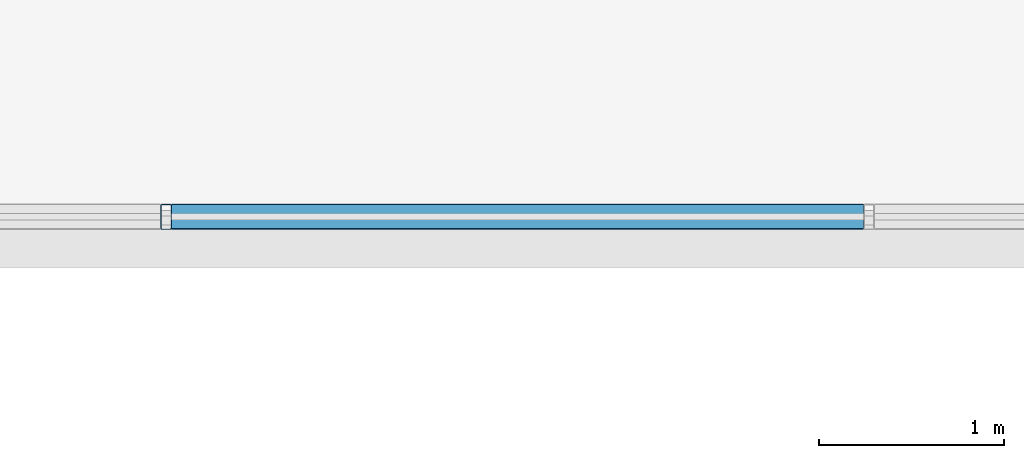
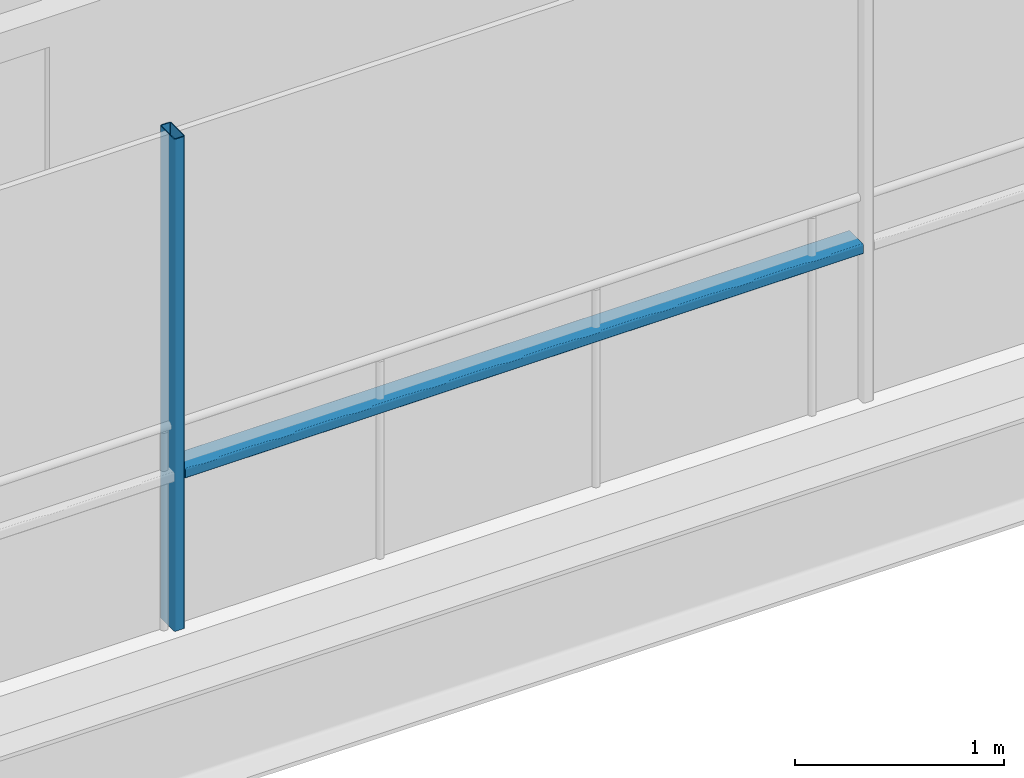
# One storey, part 11 of 40: 2 members, 1 element without a shape of its own.
"""IFC4 building model written with IfcOpenShell, lengths in metres."""

from ifc_helpers import new_model, si_unit, direction, frame, origin, origin_2d, place, context, subcontext, project, spatial, hollow_rectangle, extrude, material, layer, layer_set, material_profile, profile_set, type_object, element, aggregate, save


model = new_model("IFC4")

# Units and contexts
model_context = context("Model", 3, precision=1e-05, world=origin(), true_north=direction((0.0, 1.0)))
body_context = subcontext(model_context, "Body", "Model", "MODEL_VIEW")
ifc_project = project(units=[si_unit("LENGTHUNIT", "METRE"), si_unit("AREAUNIT", "SQUARE_METRE"), si_unit("VOLUMEUNIT", "CUBIC_METRE"), si_unit("PLANEANGLEUNIT", "RADIAN"), si_unit("MASSUNIT", "GRAM", prefix="KILO")], contexts=[model_context])

# Site, building, storey
site_placement = place(None, origin())
site = spatial("IfcSite", under=ifc_project, at=site_placement, CompositionType="ELEMENT")
building_placement = place(site_placement, origin())
building = spatial("IfcBuilding", under=site, at=building_placement, Name="Brevholm Reach", CompositionType="ELEMENT")
storey_placement = place(building_placement, frame((0.0, 0.0, 37.300048828125)))
storey = spatial("IfcBuildingStorey", under=building, at=storey_placement, Name="L09", CompositionType="ELEMENT", Elevation=37.300048828125)

# Curtain wall, members
ifc_material_1 = material(Name="Dark Anodised Aluminium 6063-T6 and Solar-Control Glass", Category="aluminium")
ifc_layer = layer(ifc_material_1, 0.139892578125)
ifc_layer_set = layer_set([ifc_layer], Name="Dark Anodised Aluminium 6063-T6 and Solar-Control Glass")
curtain_wall_type = type_object("IfcCurtainWallType", Name="CW-02", PredefinedType="NOTDEFINED", material=ifc_layer_set)
curtain_wall_placement = place(storey_placement, origin())
curtain_wall = element("IfcCurtainWall", 1, at=curtain_wall_placement, inside=storey, type_object=curtain_wall_type, Name="L09 Curtain Wall CW-02", PredefinedType="NOTDEFINED")
ifc_material_2 = material(Name="Dark Anodised Aluminium 6063-T6", Category="aluminium")
ifc_material_profile_1 = material_profile(ifc_material_2, hollow_rectangle(XDim=0.06005859375, YDim=0.139892578125, WallThickness=0.0048828125, InnerFilletRadius=0.0048828125, OuterFilletRadius=0.010009765625, at=origin_2d()), Name="RHS 140x60x5")
ifc_profile_set_1 = profile_set([ifc_material_profile_1], Name="Dark Anodised Aluminium 6063-T6")
member_type_1 = type_object("IfcMemberType", Name="CWM-140", PredefinedType="MULLION", material=ifc_profile_set_1)
member_1_placement = place(storey_placement, frame((30.050048828125, 26.6201171875, 0.0), z_axis=(0.0, 0.0, 1.0), x_axis=(-1.0, 0.0, 0.0)))
member_1 = element("IfcMember", 2, at=member_1_placement, type_object=member_type_1, Name="CM-140 Mullion 3", PredefinedType="MULLION", context=body_context, shape_type="SweptSolid", body=[
    extrude(hollow_rectangle(XDim=0.06005859375, YDim=0.139892578125, WallThickness=0.0048828125, InnerFilletRadius=0.0048828125, OuterFilletRadius=0.010009765625, at=origin_2d()), origin(), (0.0, 0.0, 1.0), 2.869873046875),
])
ifc_material_3 = material(Name="Dark Anodised Aluminium 6063-T6", Category="aluminium")
ifc_material_profile_2 = material_profile(ifc_material_3, hollow_rectangle(XDim=0.06005859375, YDim=0.139892578125, WallThickness=0.0048828125, InnerFilletRadius=0.0048828125, OuterFilletRadius=0.010009765625, at=origin_2d()), Name="RHS 140x60x5")
ifc_profile_set_2 = profile_set([ifc_material_profile_2], Name="Dark Anodised Aluminium 6063-T6")
member_type_2 = type_object("IfcMemberType", Name="CWT-140", PredefinedType="NOTDEFINED", material=ifc_profile_set_2)
member_2_placement = place(storey_placement, frame((33.820068359375, 26.6201171875, 0.89990234375), z_axis=(-1.0, 0.0, 0.0), x_axis=(0.0, 0.0, 1.0)))
member_2 = element("IfcMember", 3, at=member_2_placement, type_object=member_type_2, Name="CT-140 Transom 2.1", ObjectType="TRANSOM", PredefinedType="USERDEFINED", context=body_context, shape_type="SweptSolid", body=[
    extrude(hollow_rectangle(XDim=0.06005859375, YDim=0.139892578125, WallThickness=0.0048828125, InnerFilletRadius=0.0048828125, OuterFilletRadius=0.010009765625, at=origin_2d()), origin(), (0.0, 0.0, 1.0), 3.739990234375),
])
aggregate(curtain_wall, [member_1, member_2])

save(model, "model.ifc")
